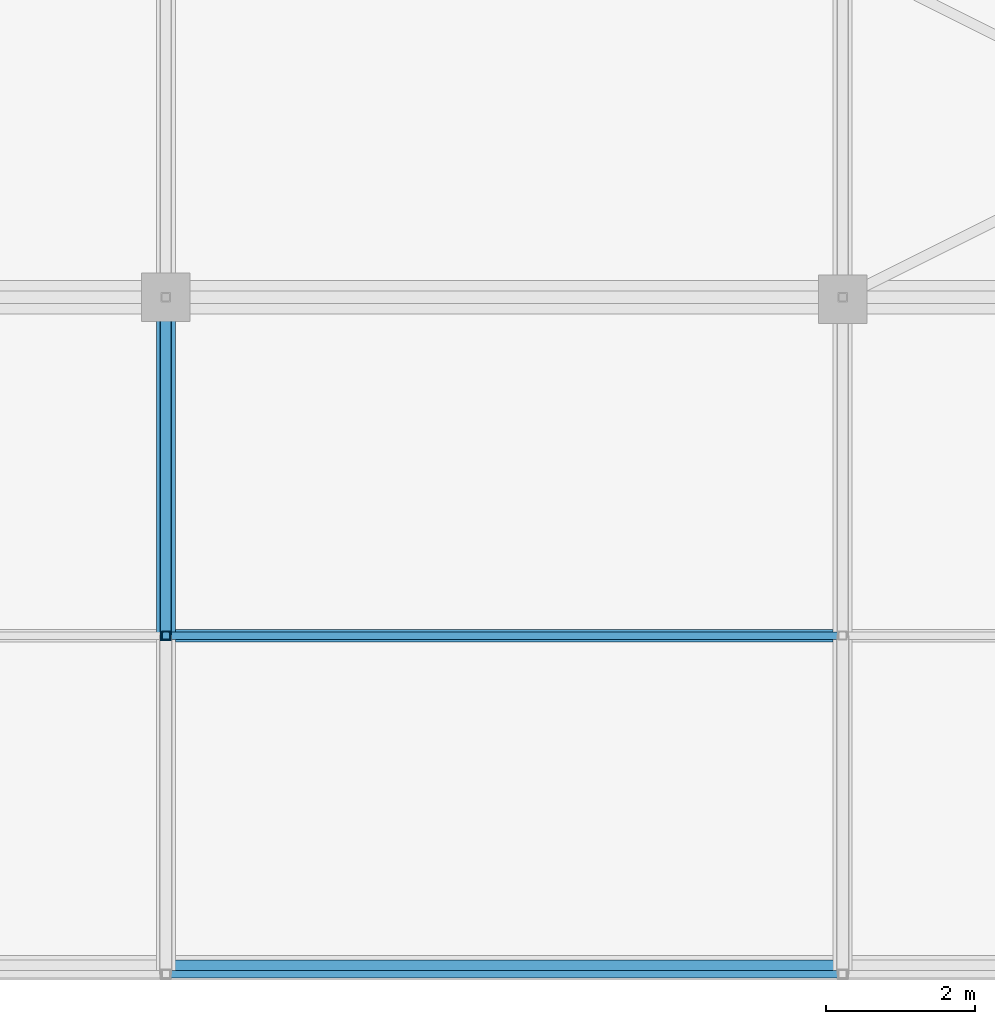
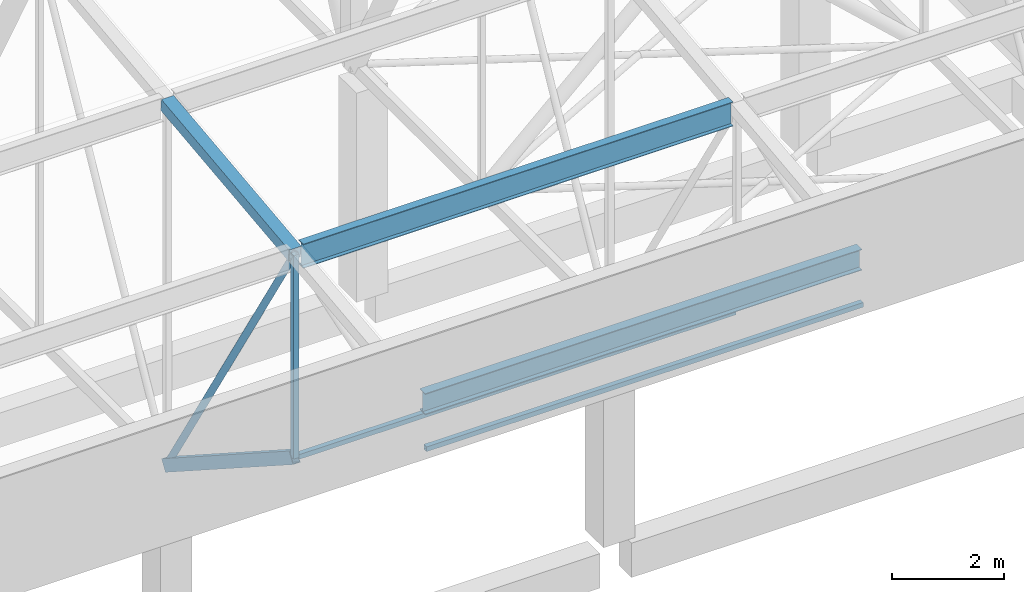
# One storey, part 98 of 500: 8 members.
"""IFC4 building model written with IfcOpenShell, lengths in metres."""

from ifc_helpers import new_model, si_unit, direction, frame, origin, origin_2d, place, context, subcontext, project, spatial, hollow_rectangle, hollow_circle, i_section, extrude, material, material_profile, profile_set, type_object, element, save


model = new_model("IFC4")

# Units and contexts
model_context = context("Model", 3, precision=1e-05, world=origin(), true_north=direction((0.0, 1.0)))
body_context = subcontext(model_context, "Body", "Model", "MODEL_VIEW")
ifc_project = project(units=[si_unit("LENGTHUNIT", "METRE"), si_unit("AREAUNIT", "SQUARE_METRE"), si_unit("VOLUMEUNIT", "CUBIC_METRE"), si_unit("PLANEANGLEUNIT", "RADIAN"), si_unit("MASSUNIT", "GRAM", prefix="KILO")], contexts=[model_context])

# Site, building, storey
site_placement = place(None, origin())
site = spatial("IfcSite", under=ifc_project, at=site_placement, CompositionType="ELEMENT")
building_placement = place(site_placement, origin())
building = spatial("IfcBuilding", under=site, at=building_placement, Name="Shirokan Park Arena", CompositionType="ELEMENT")
storey_placement = place(building_placement, frame((0.0, 0.0, 29.1201171875)))
storey = spatial("IfcBuildingStorey", under=building, at=storey_placement, Name="L06", CompositionType="ELEMENT", Elevation=29.1201171875)

# Members
ifc_material_1 = material(Name="Steel ASTM A500 Grade C", Category="steel")
ifc_material_profile_1 = material_profile(ifc_material_1, hollow_rectangle(XDim=0.152099609375, YDim=0.25390625, WallThickness=0.009521484375, at=origin_2d()), Name="HSS254X152.4X9.5")
ifc_profile_set_1 = profile_set([ifc_material_profile_1], Name="Steel ASTM A500 Grade C")
member_type_1 = type_object("IfcMemberType", Name="Bottom chord HSS254X152.4X9.5", PredefinedType="CHORD", material=ifc_profile_set_1)
member_1_placement = place(storey_placement, frame((81.89990234375, -4.550048828125, 7.6044921875), z_axis=(0.0, 0.840971691661, -0.541079119746), x_axis=(-1.0, 0.0, 0.0)))
element("IfcMember", 1, at=member_1_placement, inside=storey, type_object=member_type_1, Name="Truss T10 bottom chord 2", PredefinedType="CHORD", context=body_context, shape_type="SweptSolid", body=[
    extrude(hollow_rectangle(XDim=0.152099609375, YDim=0.25390625, WallThickness=0.009521484375, at=origin_2d()), origin(), (0.0, 0.0, 1.0), 5.410400390625),
])
ifc_material_profile_2 = material_profile(ifc_material_1, hollow_rectangle(XDim=0.10205078125, YDim=0.10205078125, WallThickness=0.00634765625, at=origin_2d()), Name="HSS101.6X101.6X6.4")
ifc_profile_set_2 = profile_set([ifc_material_profile_2], Name="Steel ASTM A500 Grade C")
member_type_2 = type_object("IfcMemberType", Name="Eave soffit rail HSS101.6X101.6X6.4", PredefinedType="USERDEFINED", material=ifc_profile_set_2)
for number, where, z_axis, x_axis, name in (
    (2, (81.95703125, -9.10009765625, 10.531982421875), (1.0, 0.0, 0.0), (0.0, 1.0, 0.0), "Eave soffit rail S 1 bay 10"),
    (3, (81.95703125, -4.550048828125, 7.6044921875), (1.0, 0.0, 0.0), (0.0, 1.0, 0.0), "Eave soffit rail S 2 bay 10"),
):
    element("IfcMember", number, at=place(storey_placement, frame(where, z_axis=z_axis, x_axis=x_axis)), inside=storey, type_object=member_type_2, Name=name, ObjectType="EAVE SOFFIT RAIL", PredefinedType="USERDEFINED", context=body_context, shape_type="SweptSolid", body=[
        extrude(hollow_rectangle(XDim=0.10205078125, YDim=0.10205078125, WallThickness=0.00634765625, at=origin_2d()), origin(), (0.0, 0.0, 1.0), 8.986083984375),
    ])
ifc_material_2 = material(Name="Steel ASTM A992", Category="steel")
ifc_material_profile_3 = material_profile(ifc_material_2, i_section(OverallWidth=0.166015625, OverallDepth=0.528076171875, WebThickness=0.009765625, FlangeThickness=0.013671875, at=origin_2d()), Name="W530X74")
ifc_profile_set_3 = profile_set([ifc_material_profile_3], Name="Steel ASTM A992")
member_type_3 = type_object("IfcMemberType", Name="Purlin W530X74", PredefinedType="PURLIN", material=ifc_profile_set_3)
member_2_placement = place(storey_placement, frame((82.027099609375, -4.550048828125, 11.9658203125), z_axis=(1.0, 0.0, 0.0), x_axis=(0.0, 1.0, 0.0)))
element("IfcMember", 4, at=member_2_placement, inside=storey, type_object=member_type_3, Name="Purlin 2 bay 10", PredefinedType="PURLIN", context=body_context, shape_type="SweptSolid", body=[
    extrude(i_section(OverallWidth=0.166015625, OverallDepth=0.528076171875, WebThickness=0.009765625, FlangeThickness=0.013671875, at=origin_2d()), origin(), (0.0, 0.0, 1.0), 8.845947265625),
])
ifc_material_profile_4 = material_profile(ifc_material_2, i_section(OverallWidth=0.19091796875, OverallDepth=0.45703125, WebThickness=0.009033203125, FlangeThickness=0.014404296875, at=origin_2d()), Name="W460X74")
ifc_profile_set_4 = profile_set([ifc_material_profile_4], Name="Steel ASTM A992")
member_type_4 = type_object("IfcMemberType", Name="Roof edge beam W460X74", PredefinedType="USERDEFINED", material=ifc_profile_set_4)
member_3_placement = place(storey_placement, frame((81.95703125, -9.00439453125, 11.4814453125), z_axis=(1.0, 0.0, 0.0), x_axis=(0.0, 1.0, 0.0)))
element("IfcMember", 5, at=member_3_placement, inside=storey, type_object=member_type_4, Name="Roof edge beam S 11", ObjectType="ROOF EDGE BEAM", PredefinedType="USERDEFINED", context=body_context, shape_type="SweptSolid", body=[
    extrude(i_section(OverallWidth=0.19091796875, OverallDepth=0.45703125, WebThickness=0.009033203125, FlangeThickness=0.014404296875, at=origin_2d()), origin(), (0.0, 0.0, 1.0), 8.986083984375),
])
ifc_material_profile_5 = material_profile(ifc_material_1, hollow_rectangle(XDim=0.25390625, YDim=0.25390625, WallThickness=0.009521484375, at=origin_2d()), Name="HSS254X254X9.5")
ifc_profile_set_5 = profile_set([ifc_material_profile_5], Name="Steel ASTM A500 Grade C")
member_type_5 = type_object("IfcMemberType", Name="Top chord HSS254X254X9.5", PredefinedType="CHORD", material=ifc_profile_set_5)
member_4_placement = place(storey_placement, frame((81.89990234375, -4.550048828125, 12.021484375), z_axis=(0.0, 0.993532328996, 0.113549598152), x_axis=(-1.0, 0.0, 0.0)))
element("IfcMember", 6, at=member_4_placement, inside=storey, type_object=member_type_5, Name="Truss T10 top chord 2", PredefinedType="CHORD", context=body_context, shape_type="SweptSolid", body=[
    extrude(hollow_rectangle(XDim=0.25390625, YDim=0.25390625, WallThickness=0.009521484375, at=origin_2d()), origin(), (0.0, 0.0, 1.0), 4.57958984375),
])
ifc_material_profile_6 = material_profile(ifc_material_1, hollow_circle(Radius=0.070556640625, WallThickness=0.006591796875, at=origin_2d()), Name="HSS141.3X6.6")
ifc_profile_set_6 = profile_set([ifc_material_profile_6], Name="Steel ASTM A500 Grade C")
member_type_6 = type_object("IfcMemberType", Name="Truss diagonal HSS141.3X6.6", PredefinedType="BRACE", material=ifc_profile_set_6)
member_5_placement = place(storey_placement, frame((81.89990234375, -4.550048828125, 12.021484375), z_axis=(0.0, 0.526644483383, -0.850085635758), x_axis=(-1.0, 0.0, 0.0)))
element("IfcMember", 7, at=member_5_placement, inside=storey, type_object=member_type_6, Name="Truss T10 diagonal 2", PredefinedType="BRACE", context=body_context, shape_type="SweptSolid", body=[
    extrude(hollow_circle(Radius=0.070556640625, WallThickness=0.006591796875, at=origin_2d()), origin(), (0.0, 0.0, 1.0), 8.6396484375),
])
ifc_material_profile_7 = material_profile(ifc_material_1, hollow_rectangle(XDim=0.114013671875, YDim=0.114013671875, WallThickness=0.00634765625, at=origin_2d()), Name="HSS114.3X114.3X6.4")
ifc_profile_set_7 = profile_set([ifc_material_profile_7], Name="Steel ASTM A500 Grade C")
member_type_7 = type_object("IfcMemberType", Name="Truss post HSS114.3X114.3X6.4", PredefinedType="POST", material=ifc_profile_set_7)
member_6_placement = place(storey_placement, frame((81.89990234375, -4.550048828125, 7.6044921875), z_axis=(0.0, 0.0, 1.0), x_axis=(1.0, 0.0, 0.0)))
element("IfcMember", 8, at=member_6_placement, inside=storey, type_object=member_type_7, Name="Truss T10 post 2", PredefinedType="POST", context=body_context, shape_type="SweptSolid", body=[
    extrude(hollow_rectangle(XDim=0.114013671875, YDim=0.114013671875, WallThickness=0.00634765625, at=origin_2d()), origin(), (0.0, 0.0, 1.0), 4.4169921875),
])

save(model, "model.ifc")
